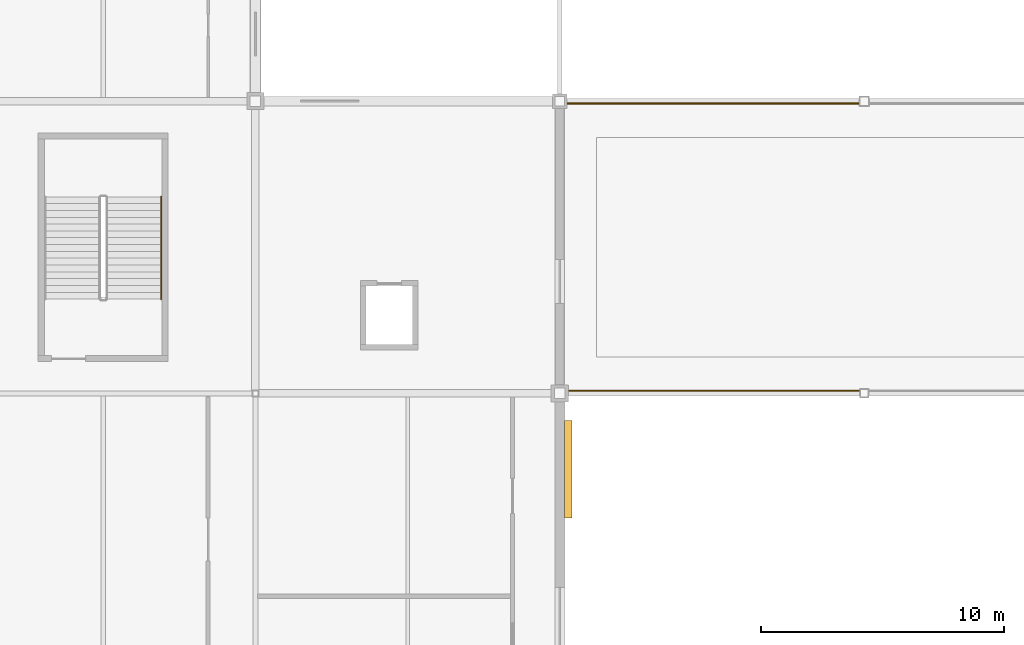
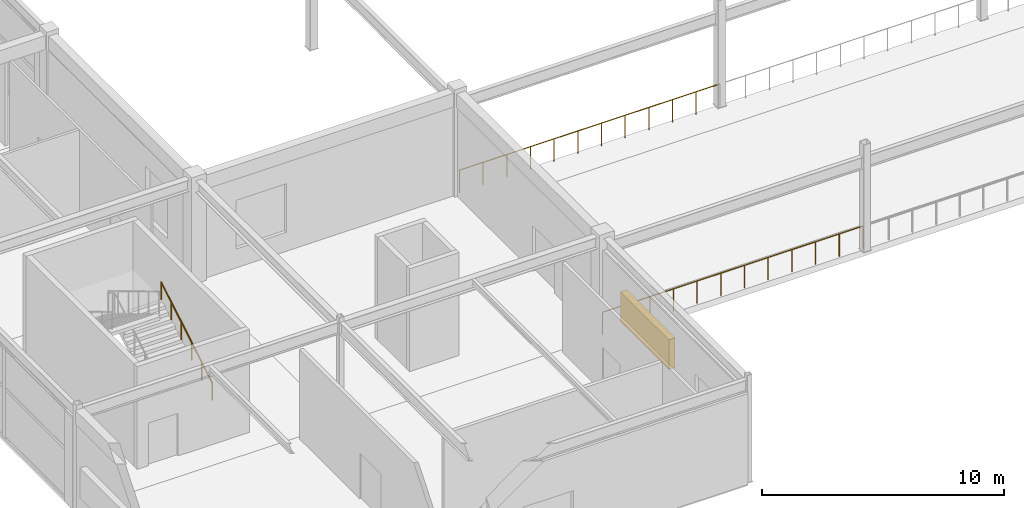
# One storey, part 88 of 105: 3 railings, 1 shading device.
"""IFC4 building model written with IfcOpenShell, lengths in metres."""

from ifc_helpers import new_model, si_unit, direction, frame, origin, origin_2d, place, context, subcontext, project, spatial, rectangle, circle, extrude, material, layer, layer_set, type_object, element, save


model = new_model("IFC4")

# Units and contexts
model_context = context("Model", 3, precision=1e-05, world=origin(), true_north=direction((0.0, 1.0)))
body_context = subcontext(model_context, "Body", "Model", "MODEL_VIEW")
ifc_project = project(units=[si_unit("LENGTHUNIT", "METRE"), si_unit("AREAUNIT", "SQUARE_METRE"), si_unit("VOLUMEUNIT", "CUBIC_METRE"), si_unit("PLANEANGLEUNIT", "RADIAN"), si_unit("MASSUNIT", "GRAM", prefix="KILO")], contexts=[model_context])

# Site, building, storey
site_placement = place(None, origin())
site = spatial("IfcSite", under=ifc_project, at=site_placement, CompositionType="ELEMENT")
building_placement = place(site_placement, origin())
building = spatial("IfcBuilding", under=site, at=building_placement, Name="Kazenohara Klinker Stadium", CompositionType="ELEMENT")
storey_placement = place(building_placement, frame((0.0, 0.0, 20.39990234375)))
storey = spatial("IfcBuildingStorey", under=building, at=storey_placement, Name="L04", CompositionType="ELEMENT", Elevation=20.39990234375)

# Railings
ifc_material_1 = material(Name="Tempered laminated glass and stainless steel 316 balustrade", Category="steel")
ifc_layer_1 = layer(ifc_material_1, 0.090087890625)
ifc_layer_set_1 = layer_set([ifc_layer_1], Name="Tempered laminated glass and stainless steel 316 balustrade")
railing_type_1 = type_object("IfcRailingType", Name="RL-BAL-1150", PredefinedType="BALUSTRADE", material=ifc_layer_set_1)
for number, where, name in (
    (1, (49.050048828125, 24.10009765625, 0.0), "Roof garden terrace safety balustrade BL01-001"),
    (2, (49.050048828125, 35.89990234375, 0.0), "Roof garden terrace safety balustrade BL01-002"),
):
    element("IfcRailing", number, at=place(storey_placement, frame(where)), inside=storey, type_object=railing_type_1, Name=name, PredefinedType="BALUSTRADE", context=body_context, shape_type="SweptSolid", body=[
        extrude(circle(Radius=0.02392578125, at=origin_2d()), frame((0.0, 0.0, 1.1259765625), z_axis=(1.0, 0.0, 0.0), x_axis=(0.0, 1.0, 0.0)), (0.0, 0.0, 1.0), 12.39990234375),
        extrude(circle(Radius=0.02099609375, at=origin_2d()), origin(), (0.0, 0.0, 1.0), 1.101806640625),
        extrude(circle(Radius=0.02099609375, at=origin_2d()), frame((1.127197265625, 0.0, 0.0)), (0.0, 0.0, 1.0), 1.101806640625),
        extrude(circle(Radius=0.02099609375, at=origin_2d()), frame((2.254638671875, 0.0, 0.0)), (0.0, 0.0, 1.0), 1.101806640625),
        extrude(circle(Radius=0.02099609375, at=origin_2d()), frame((3.3818359375, 0.0, 0.0)), (0.0, 0.0, 1.0), 1.101806640625),
        extrude(circle(Radius=0.02099609375, at=origin_2d()), frame((4.509033203125, 0.0, 0.0)), (0.0, 0.0, 1.0), 1.101806640625),
        extrude(circle(Radius=0.02099609375, at=origin_2d()), frame((5.63623046875, 0.0, 0.0)), (0.0, 0.0, 1.0), 1.101806640625),
        extrude(circle(Radius=0.02099609375, at=origin_2d()), frame((6.763671875, 0.0, 0.0)), (0.0, 0.0, 1.0), 1.101806640625),
        extrude(circle(Radius=0.02099609375, at=origin_2d()), frame((7.890869140625, 0.0, 0.0)), (0.0, 0.0, 1.0), 1.101806640625),
        extrude(circle(Radius=0.02099609375, at=origin_2d()), frame((9.01806640625, 0.0, 0.0)), (0.0, 0.0, 1.0), 1.101806640625),
        extrude(circle(Radius=0.02099609375, at=origin_2d()), frame((10.145263671875, 0.0, 0.0)), (0.0, 0.0, 1.0), 1.101806640625),
        extrude(circle(Radius=0.02099609375, at=origin_2d()), frame((11.272705078125, 0.0, 0.0)), (0.0, 0.0, 1.0), 1.101806640625),
        extrude(circle(Radius=0.02099609375, at=origin_2d()), frame((12.39990234375, 0.0, 0.0)), (0.0, 0.0, 1.0), 1.101806640625),
    ])
ifc_material_2 = material(Name="Brushed stainless steel 304 handrail", Category="steel")
ifc_layer_2 = layer(ifc_material_2, 0.050048828125)
ifc_layer_set_2 = layer_set([ifc_layer_2], Name="Brushed stainless steel 304 handrail")
railing_type_2 = type_object("IfcRailingType", Name="RL-HND-900", PredefinedType="HANDRAIL", material=ifc_layer_set_2)
railing_placement = place(storey_placement, frame((32.6298828125, 27.8701171875, 0.1689453125)))
element("IfcRailing", 3, at=railing_placement, inside=storey, type_object=railing_type_2, Name="L04 ST07 stair handrail 1", PredefinedType="HANDRAIL", context=body_context, shape_type="SweptSolid", body=[
    extrude(circle(Radius=0.02392578125, at=origin_2d()), frame((0.0, 0.0, 0.8759765625), z_axis=(0.0, 0.856476492594, 0.516186030065), x_axis=(-1.0, 0.0, 0.0)), (0.0, 0.0, 1.0), 4.90380859375),
    extrude(circle(Radius=0.02099609375, at=origin_2d()), origin(), (0.0, 0.0, 1.0), 0.851806640625),
    extrude(circle(Radius=0.02099609375, at=origin_2d()), frame((0.0, 0.840087890625, 0.50634765625)), (0.0, 0.0, 1.0), 0.851806640625),
    extrude(circle(Radius=0.02099609375, at=origin_2d()), frame((0.0, 1.679931640625, 1.012451171875)), (0.0, 0.0, 1.0), 0.851806640625),
    extrude(circle(Radius=0.02099609375, at=origin_2d()), frame((0.0, 2.52001953125, 1.518798828125)), (0.0, 0.0, 1.0), 0.851806640625),
    extrude(circle(Radius=0.02099609375, at=origin_2d()), frame((0.0, 3.35986328125, 2.02490234375)), (0.0, 0.0, 1.0), 0.851806640625),
    extrude(circle(Radius=0.02099609375, at=origin_2d()), frame((0.0, 4.199951171875, 2.53125)), (0.0, 0.0, 1.0), 0.851806640625),
])

# Shading device
ifc_material_3 = material(Name="Perforated clinker-brick and bronze louvre grille", Category="masonry")
shading_device_type = type_object("IfcShadingDeviceType", Name="SHD-LOUV-02", PredefinedType="JALOUSIE", material=ifc_material_3)
shading_device_placement = place(storey_placement, frame((49.35009765625, 20.8818359375, 1.35009765625), z_axis=(0.0, 0.0, 1.0), x_axis=(0.0, 1.0, 0.0)))
element("IfcShadingDevice", 4, at=shading_device_placement, inside=storey, type_object=shading_device_type, Name="Perforated clinker-brick louvre screen LV02-25", PredefinedType="JALOUSIE", context=body_context, shape_type="SweptSolid", body=[
    extrude(rectangle(XDim=4.0, YDim=0.300048828125, at=origin_2d()), origin(), (0.0, 0.0, 1.0), 1.5),
])

save(model, "model.ifc")
